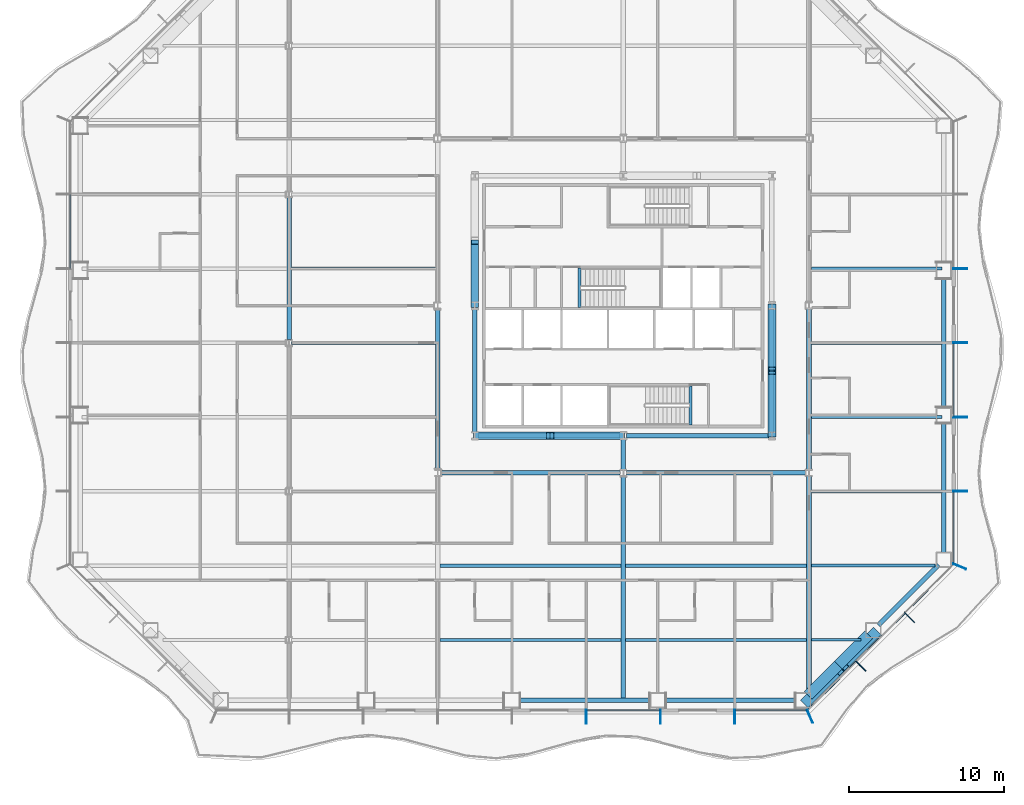
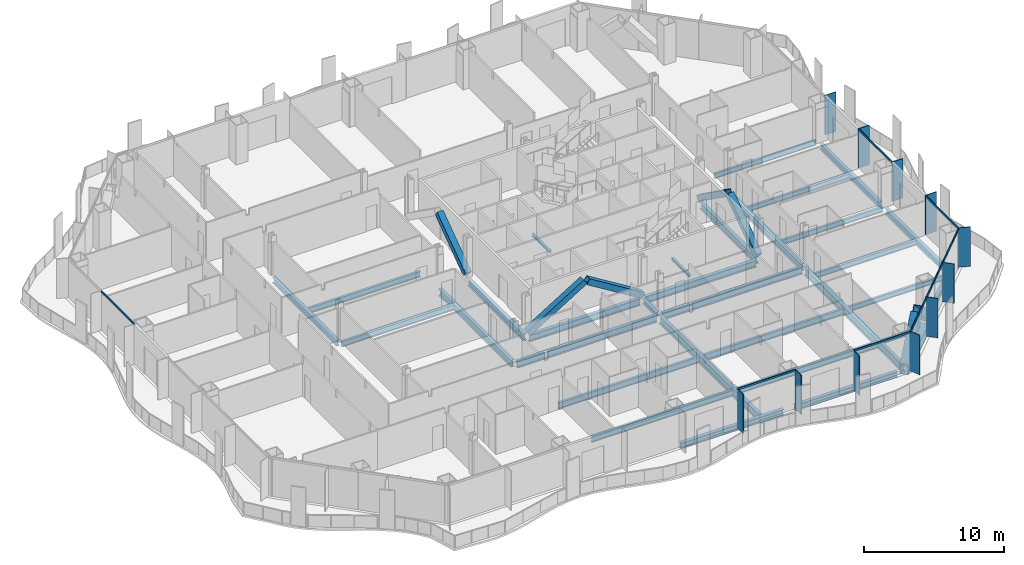
# One storey, part 2 of 21: 33 beams, 26 members, 4 elements without a shape of their own.
"""IFC4 building model written with IfcOpenShell, lengths in metres."""

from ifc_helpers import new_model, si_unit, direction, frame, origin, origin_2d, place, context, subcontext, project, spatial, rectangle, hollow_rectangle, i_section, extrude, material, material_profile, profile_set, type_object, element, aggregate, save


model = new_model("IFC4")

# Units and contexts
model_context = context("Model", 3, precision=1e-05, world=origin(), true_north=direction((0.0, 1.0)))
body_context = subcontext(model_context, "Body", "Model", "MODEL_VIEW")
ifc_project = project(units=[si_unit("LENGTHUNIT", "METRE"), si_unit("AREAUNIT", "SQUARE_METRE"), si_unit("VOLUMEUNIT", "CUBIC_METRE"), si_unit("PLANEANGLEUNIT", "RADIAN"), si_unit("MASSUNIT", "GRAM", prefix="KILO")], contexts=[model_context])

# Site, building, storey
site_placement = place(None, origin())
site = spatial("IfcSite", under=ifc_project, at=site_placement, CompositionType="ELEMENT")
building_placement = place(site_placement, origin())
building = spatial("IfcBuilding", under=site, at=building_placement, Name="Cairn Pilgrim Tower", CompositionType="ELEMENT")
storey_placement = place(building_placement, frame((0.0, 0.0, 47.39990234375)))
storey = spatial("IfcBuildingStorey", under=building, at=storey_placement, Name="L09", CompositionType="ELEMENT", Elevation=47.39990234375)

# Members
ifc_material_1 = material(Name="Structural steel S460M", Category="steel")
ifc_material_profile_1 = material_profile(ifc_material_1, hollow_rectangle(XDim=0.5, YDim=0.5, WallThickness=0.030029296875, at=origin_2d()), Name="BOX 500x500x30")
ifc_profile_set_1 = profile_set([ifc_material_profile_1], Name="Structural steel S460M")
member_type_1 = type_object("IfcMemberType", Name="BOX 500x500x30 BRACE", PredefinedType="BRACE", material=ifc_profile_set_1)
member_1_placement = place(storey_placement, frame((-2.3544921875, -6.0, 0.10009765625), z_axis=(0.850904896844, 0.0, 0.525319765978), x_axis=(0.0, 1.0, 0.0)))
element("IfcMember", 1, at=member_1_placement, inside=storey, type_object=member_type_1, Name="KB-1A", PredefinedType="BRACE", context=body_context, shape_type="SweptSolid", body=[
    extrude(hollow_rectangle(XDim=0.5, YDim=0.5, WallThickness=0.030029296875, at=origin_2d()), origin(), (0.0, 0.0, 1.0), 5.52490234375),
])
member_2_placement = place(storey_placement, frame((7.154541015625, -6.0, 0.10009765625), z_axis=(-0.850919818074, 0.0, 0.52529559603), x_axis=(0.0, -1.0, 0.0)))
element("IfcMember", 2, at=member_2_placement, inside=storey, type_object=member_type_1, Name="KB-1B", PredefinedType="BRACE", context=body_context, shape_type="SweptSolid", body=[
    extrude(hollow_rectangle(XDim=0.5, YDim=0.5, WallThickness=0.030029296875, at=origin_2d()), origin(), (0.0, 0.0, 1.0), 5.375),
])
member_3_placement = place(storey_placement, frame((16.800048828125, -5.95458984375, 0.10009765625), z_axis=(0.0, 0.814083383497, 0.580748004486), x_axis=(-1.0, 0.0, 0.0)))
element("IfcMember", 3, at=member_3_placement, inside=storey, type_object=member_type_1, Name="KB-2A", PredefinedType="BRACE", context=body_context, shape_type="SweptSolid", body=[
    extrude(hollow_rectangle(XDim=0.5, YDim=0.5, WallThickness=0.030029296875, at=origin_2d()), origin(), (0.0, 0.0, 1.0), 4.9951171875),
])
member_4_placement = place(storey_placement, frame((16.800048828125, 2.3544921875, 0.10009765625), z_axis=(0.0, -0.814066898095, 0.580771112769), x_axis=(1.0, 0.0, 0.0)))
element("IfcMember", 4, at=member_4_placement, inside=storey, type_object=member_type_1, Name="KB-2B", PredefinedType="BRACE", context=body_context, shape_type="SweptSolid", body=[
    extrude(hollow_rectangle(XDim=0.5, YDim=0.5, WallThickness=0.030029296875, at=origin_2d()), origin(), (0.0, 0.0, 1.0), 4.994873046875),
])
member_5_placement = place(storey_placement, frame((-2.39990234375, 2.4453125, 0.10009765625), z_axis=(0.0, 0.814083383497, 0.580748004486), x_axis=(-1.0, 0.0, 0.0)))
element("IfcMember", 5, at=member_5_placement, inside=storey, type_object=member_type_1, Name="KB-4B", PredefinedType="BRACE", context=body_context, shape_type="SweptSolid", body=[
    extrude(hollow_rectangle(XDim=0.5, YDim=0.5, WallThickness=0.030029296875, at=origin_2d()), origin(), (0.0, 0.0, 1.0), 4.9951171875),
])
ifc_material_profile_2 = material_profile(ifc_material_1, hollow_rectangle(XDim=0.699951171875, YDim=0.699951171875, WallThickness=0.0400390625, at=origin_2d()), Name="BOX 700x700x40")
ifc_profile_set_2 = profile_set([ifc_material_profile_2], Name="Structural steel S460M")
member_type_2 = type_object("IfcMemberType", Name="BOX 700x700x40 BRACE", PredefinedType="BRACE", material=ifc_profile_set_2)
member_6_placement = place(storey_placement, frame((19.0498046875, -23.181396484375, 0.150146484375), z_axis=(0.528118110354, 0.528118110354, 0.664968061663), x_axis=(-0.707106781187, 0.707106781187, 0.0)))
element("IfcMember", 6, at=member_6_placement, inside=storey, type_object=member_type_2, Name="XB-SE1-SE2-1", PredefinedType="BRACE", context=body_context, shape_type="SweptSolid", body=[
    extrude(hollow_rectangle(XDim=0.699951171875, YDim=0.699951171875, WallThickness=0.0400390625, at=origin_2d()), origin(), (0.0, 0.0, 1.0), 3.89990234375),
])
member_7_placement = place(storey_placement, frame((23.44482421875, -18.786376953125, 0.150146484375), z_axis=(-0.528090425698, -0.528090425698, 0.665012033404), x_axis=(0.707106781187, -0.707106781187, 0.0)))
element("IfcMember", 7, at=member_7_placement, inside=storey, type_object=member_type_2, Name="XB-SE1-SE2-2", PredefinedType="BRACE", context=body_context, shape_type="SweptSolid", body=[
    extrude(hollow_rectangle(XDim=0.699951171875, YDim=0.699951171875, WallThickness=0.0400390625, at=origin_2d()), origin(), (0.0, 0.0, 1.0), 3.899658203125),
])

# Beams
ifc_material_2 = material(Name="Structural steel S355J2", Category="steel")
ifc_material_profile_3 = material_profile(ifc_material_2, hollow_rectangle(XDim=0.699951171875, YDim=0.800048828125, WallThickness=0.0400390625, at=origin_2d()), Name="BOX 700x800x40")
ifc_profile_set_3 = profile_set([ifc_material_profile_3], Name="Structural steel S355J2")
beam_type_1 = type_object("IfcBeamType", Name="BOX 700x800x40 RING GIRDER", PredefinedType="SPANDREL", material=ifc_profile_set_3)
for number, where, z_axis, x_axis, name in (
    (8, (19.1455078125, -22.78173828125, -0.5498046875), (0.707106781187, 0.707106781187, 0.0), (-0.707106781187, 0.707106781187, 0.0), "RG1-SE1-SE2-1"),
    (9, (21.095458984375, -20.831787109375, -0.5498046875), (0.707106781187, 0.707106781187, 0.0), (-0.707106781187, 0.707106781187, 0.0), "RG1-SE1-SE2-2"),
):
    element("IfcBeam", number, at=place(storey_placement, frame(where, z_axis=z_axis, x_axis=x_axis)), inside=storey, type_object=beam_type_1, Name=name, PredefinedType="SPANDREL", context=body_context, shape_type="SweptSolid", body=[
        extrude(hollow_rectangle(XDim=0.699951171875, YDim=0.800048828125, WallThickness=0.0400390625, at=origin_2d()), origin(), (0.0, 0.0, 1.0), 2.757568359375),
    ])

# Curtain wall, members
ifc_material_3 = material(Name="Aluminium alloy 6063-T6 bronze anodised with Bronze tinted laminated low-E glass 8+16+8.8", Category="aluminium")
curtain_wall_type_1 = type_object("IfcCurtainWallType", Name="TOWER STICK CURTAIN WALL NS", PredefinedType="NOTDEFINED", material=ifc_material_3)
curtain_wall_1_placement = place(storey_placement, origin())
curtain_wall_1 = element("IfcCurtainWall", 10, at=curtain_wall_1_placement, inside=storey, type_object=curtain_wall_type_1, Name="Tower Stick Curtain Wall Ns S", PredefinedType="NOTDEFINED")
ifc_material_4 = material(Name="Aluminium alloy 6063-T6 bronze anodised", Category="aluminium")
ifc_material_profile_4 = material_profile(ifc_material_4, rectangle(XDim=0.89990234375, YDim=0.06005859375, at=origin_2d()), Name="FIN MULLION 60x900 BRONZE")
ifc_profile_set_4 = profile_set([ifc_material_profile_4], Name="Aluminium alloy 6063-T6 bronze anodised")
member_type_3 = type_object("IfcMemberType", Name="FIN MULLION 60x900 BRONZE", PredefinedType="MULLION", material=ifc_profile_set_4)
member_8_placement = place(storey_placement, frame((4.800048828125, -24.169921875, 0.0), z_axis=(0.0, 0.0, 1.0), x_axis=(0.0, -1.0, 0.0)))
member_8 = element("IfcMember", 11, at=member_8_placement, type_object=member_type_3, Name="Fin mullion S6", PredefinedType="MULLION", context=body_context, shape_type="SweptSolid", body=[
    extrude(rectangle(XDim=0.89990234375, YDim=0.06005859375, at=origin_2d()), origin(), (0.0, 0.0, 1.0), 3.4501953125),
])
member_9_placement = place(storey_placement, frame((9.60009765625, -24.169921875, 0.0), z_axis=(0.0, 0.0, 1.0), x_axis=(0.0, -1.0, 0.0)))
member_9 = element("IfcMember", 12, at=member_9_placement, type_object=member_type_3, Name="Fin mullion S7", PredefinedType="MULLION", context=body_context, shape_type="SweptSolid", body=[
    extrude(rectangle(XDim=0.89990234375, YDim=0.06005859375, at=origin_2d()), origin(), (0.0, 0.0, 1.0), 3.4501953125),
])
member_10_placement = place(storey_placement, frame((14.39990234375, -24.169921875, 0.0), z_axis=(0.0, 0.0, 1.0), x_axis=(0.0, -1.0, 0.0)))
member_10 = element("IfcMember", 13, at=member_10_placement, type_object=member_type_3, Name="Fin mullion S8", PredefinedType="MULLION", context=body_context, shape_type="SweptSolid", body=[
    extrude(rectangle(XDim=0.89990234375, YDim=0.06005859375, at=origin_2d()), origin(), (0.0, 0.0, 1.0), 3.4501953125),
])

curtain_wall_type_2 = type_object("IfcCurtainWallType", Name="CHAMFER CORNER CURTAIN WALL", PredefinedType="NOTDEFINED", material=ifc_material_3)
curtain_wall_2_placement = place(storey_placement, origin())
curtain_wall_2 = element("IfcCurtainWall", 14, at=curtain_wall_2_placement, inside=storey, type_object=curtain_wall_type_2, Name="Chamfer Corner Curtain Wall SE", PredefinedType="NOTDEFINED")
member_11_placement = place(storey_placement, frame((19.257080078125, -24.137939453125, 0.0), z_axis=(0.0, 0.0, 1.0), x_axis=(0.382683432365, -0.923879532511, 0.0)))
member_11 = element("IfcMember", 15, at=member_11_placement, type_object=member_type_3, Name="Fin mullion SE1", PredefinedType="MULLION", context=body_context, shape_type="SweptSolid", body=[
    extrude(rectangle(XDim=0.89990234375, YDim=0.06005859375, at=origin_2d()), origin(), (0.0, 0.0, 1.0), 3.4501953125),
])
member_12_placement = place(storey_placement, frame((22.544677734375, -20.895751953125, 0.0), z_axis=(0.0, 0.0, 1.0), x_axis=(0.707106781187, -0.707106781187, 0.0)))
member_12 = element("IfcMember", 16, at=member_12_placement, type_object=member_type_3, Name="Fin mullion SE2", PredefinedType="MULLION", context=body_context, shape_type="SweptSolid", body=[
    extrude(rectangle(XDim=0.89990234375, YDim=0.06005859375, at=origin_2d()), origin(), (0.0, 0.0, 1.0), 3.4501953125),
])
member_13_placement = place(storey_placement, frame((25.69580078125, -17.74462890625, 0.0), z_axis=(0.0, 0.0, 1.0), x_axis=(0.707106781187, -0.707106781187, 0.0)))
member_13 = element("IfcMember", 17, at=member_13_placement, type_object=member_type_3, Name="Fin mullion SE3", PredefinedType="MULLION", context=body_context, shape_type="SweptSolid", body=[
    extrude(rectangle(XDim=0.89990234375, YDim=0.06005859375, at=origin_2d()), origin(), (0.0, 0.0, 1.0), 3.4501953125),
])

curtain_wall_type_3 = type_object("IfcCurtainWallType", Name="TOWER STICK CURTAIN WALL EW", PredefinedType="NOTDEFINED", material=ifc_material_3)
curtain_wall_3_placement = place(storey_placement, origin())
curtain_wall_3 = element("IfcCurtainWall", 18, at=curtain_wall_3_placement, inside=storey, type_object=curtain_wall_type_3, Name="Tower Stick Curtain Wall Ew E", PredefinedType="NOTDEFINED")
member_14_placement = place(storey_placement, frame((28.93798828125, -14.457275390625, 0.0), z_axis=(0.0, 0.0, 1.0), x_axis=(0.923879532511, -0.382683432365, 0.0)))
member_14 = element("IfcMember", 19, at=member_14_placement, type_object=member_type_3, Name="Fin mullion E1", PredefinedType="MULLION", context=body_context, shape_type="SweptSolid", body=[
    extrude(rectangle(XDim=0.89990234375, YDim=0.06005859375, at=origin_2d()), origin(), (0.0, 0.0, 1.0), 3.4501953125),
])
member_15_placement = place(storey_placement, frame((28.969970703125, -9.60009765625, 0.0), z_axis=(0.0, 0.0, 1.0), x_axis=(1.0, 0.0, 0.0)))
member_15 = element("IfcMember", 20, at=member_15_placement, type_object=member_type_3, Name="Fin mullion E2", PredefinedType="MULLION", context=body_context, shape_type="SweptSolid", body=[
    extrude(rectangle(XDim=0.89990234375, YDim=0.06005859375, at=origin_2d()), origin(), (0.0, 0.0, 1.0), 3.4501953125),
])
member_16_placement = place(storey_placement, frame((28.969970703125, -4.800048828125, 0.0), z_axis=(0.0, 0.0, 1.0), x_axis=(1.0, 0.0, 0.0)))
member_16 = element("IfcMember", 21, at=member_16_placement, type_object=member_type_3, Name="Fin mullion E3", PredefinedType="MULLION", context=body_context, shape_type="SweptSolid", body=[
    extrude(rectangle(XDim=0.89990234375, YDim=0.06005859375, at=origin_2d()), origin(), (0.0, 0.0, 1.0), 3.4501953125),
])
member_17_placement = place(storey_placement, frame((28.969970703125, 0.0, 0.0), z_axis=(0.0, 0.0, 1.0), x_axis=(1.0, 0.0, 0.0)))
member_17 = element("IfcMember", 22, at=member_17_placement, type_object=member_type_3, Name="Fin mullion E4", PredefinedType="MULLION", context=body_context, shape_type="SweptSolid", body=[
    extrude(rectangle(XDim=0.89990234375, YDim=0.06005859375, at=origin_2d()), origin(), (0.0, 0.0, 1.0), 3.4501953125),
])
member_18_placement = place(storey_placement, frame((28.969970703125, 4.800048828125, 0.0), z_axis=(0.0, 0.0, 1.0), x_axis=(1.0, 0.0, 0.0)))
member_18 = element("IfcMember", 23, at=member_18_placement, type_object=member_type_3, Name="Fin mullion E5", PredefinedType="MULLION", context=body_context, shape_type="SweptSolid", body=[
    extrude(rectangle(XDim=0.89990234375, YDim=0.06005859375, at=origin_2d()), origin(), (0.0, 0.0, 1.0), 3.4501953125),
])

# Beams
ifc_material_profile_5 = material_profile(ifc_material_2, i_section(OverallWidth=0.300048828125, OverallDepth=0.39990234375, WebThickness=0.013427734375, FlangeThickness=0.02392578125, FilletRadius=0.027099609375, at=origin_2d()), Name="HEB 400")
ifc_profile_set_5 = profile_set([ifc_material_profile_5], Name="Structural steel S355J2")
beam_type_2 = type_object("IfcBeamType", Name="HEB 400 GIRDER", PredefinedType="BEAM", material=ifc_profile_set_5)
beam_1_placement = place(storey_placement, frame((7.199951171875, -8.18798828125, -0.349853515625), z_axis=(0.0, 1.0, 0.0), x_axis=(-1.0, 0.0, 0.0)))
element("IfcBeam", 24, at=beam_1_placement, inside=storey, type_object=beam_type_2, Name="PG3-E1", PredefinedType="BEAM", context=body_context, shape_type="SweptSolid", body=[
    extrude(i_section(OverallWidth=0.300048828125, OverallDepth=0.39990234375, WebThickness=0.013427734375, FlangeThickness=0.02392578125, FilletRadius=0.027099609375, at=origin_2d()), origin(), (0.0, 0.0, 1.0), 1.9609375),
])
ifc_material_profile_6 = material_profile(ifc_material_2, i_section(OverallWidth=0.300048828125, OverallDepth=0.5, WebThickness=0.014404296875, FlangeThickness=0.028076171875, FilletRadius=0.027099609375, at=origin_2d()), Name="HEB 500")
ifc_profile_set_6 = profile_set([ifc_material_profile_6], Name="Structural steel S355J2")
beam_type_3 = type_object("IfcBeamType", Name="HEB 500 GIRDER", PredefinedType="BEAM", material=ifc_profile_set_6)
beam_2_placement = place(storey_placement, frame((-14.39990234375, 0.20458984375, -0.39990234375), z_axis=(0.0, 1.0, 0.0), x_axis=(-1.0, 0.0, 0.0)))
element("IfcBeam", 25, at=beam_2_placement, inside=storey, type_object=beam_type_3, Name="PG1-4", PredefinedType="BEAM", context=body_context, shape_type="SweptSolid", body=[
    extrude(i_section(OverallWidth=0.300048828125, OverallDepth=0.5, WebThickness=0.014404296875, FlangeThickness=0.028076171875, FilletRadius=0.027099609375, at=origin_2d()), origin(), (0.0, 0.0, 1.0), 9.19091796875),
])
ifc_material_profile_7 = material_profile(ifc_material_2, i_section(OverallWidth=0.300048828125, OverallDepth=0.5, WebThickness=0.014404296875, FlangeThickness=0.028076171875, FilletRadius=0.027099609375, at=origin_2d()), Name="HEB 500")
ifc_profile_set_7 = profile_set([ifc_material_profile_7], Name="Structural steel S355J2")
beam_type_4 = type_object("IfcBeamType", Name="HEB 500 RING GIRDER", PredefinedType="SPANDREL", material=ifc_profile_set_7)
for number, where, z_axis, x_axis, name in (
    (26, (0.449951171875, -23.10009765625, -0.39990234375), (1.0, 0.0, 0.0), (0.0, 1.0, 0.0), "RG1-S3-S4"),
    (27, (9.863525390625, -23.10009765625, -0.39990234375), (1.0, 0.0, 0.0), (0.0, 1.0, 0.0), "RG1-S4-SE1"),
):
    element("IfcBeam", number, at=place(storey_placement, frame(where, z_axis=z_axis, x_axis=x_axis)), inside=storey, type_object=beam_type_4, Name=name, PredefinedType="SPANDREL", context=body_context, shape_type="SweptSolid", body=[
        extrude(i_section(OverallWidth=0.300048828125, OverallDepth=0.5, WebThickness=0.014404296875, FlangeThickness=0.028076171875, FilletRadius=0.027099609375, at=origin_2d()), origin(), (0.0, 0.0, 1.0), 8.513671875),
    ])
beam_3_placement = place(storey_placement, frame((23.681884765625, -18.245361328125, -0.39990234375), z_axis=(0.707106781187, 0.707106781187, 0.0), x_axis=(-0.707106781187, 0.707106781187, 0.0)))
element("IfcBeam", 28, at=beam_3_placement, inside=storey, type_object=beam_type_4, Name="RG1-SE2-E1", PredefinedType="SPANDREL", context=body_context, shape_type="SweptSolid", body=[
    extrude(i_section(OverallWidth=0.300048828125, OverallDepth=0.5, WebThickness=0.014404296875, FlangeThickness=0.028076171875, FilletRadius=0.027099609375, at=origin_2d()), origin(), (0.0, 0.0, 1.0), 5.515380859375),
])
beam_4_placement = place(storey_placement, frame((27.89990234375, -13.5771484375, -0.39990234375), z_axis=(0.0, 1.0, 0.0), x_axis=(-1.0, 0.0, 0.0)))
element("IfcBeam", 29, at=beam_4_placement, inside=storey, type_object=beam_type_4, Name="RG1-E1-E2", PredefinedType="SPANDREL", context=body_context, shape_type="SweptSolid", body=[
    extrude(i_section(OverallWidth=0.300048828125, OverallDepth=0.5, WebThickness=0.014404296875, FlangeThickness=0.028076171875, FilletRadius=0.027099609375, at=origin_2d()), origin(), (0.0, 0.0, 1.0), 8.451416015625),
])
beam_5_placement = place(storey_placement, frame((27.89990234375, -4.2255859375, -0.39990234375), z_axis=(0.0, 1.0, 0.0), x_axis=(-1.0, 0.0, 0.0)))
element("IfcBeam", 30, at=beam_5_placement, inside=storey, type_object=beam_type_4, Name="RG1-E2-E3", PredefinedType="SPANDREL", context=body_context, shape_type="SweptSolid", body=[
    extrude(i_section(OverallWidth=0.300048828125, OverallDepth=0.5, WebThickness=0.014404296875, FlangeThickness=0.028076171875, FilletRadius=0.027099609375, at=origin_2d()), origin(), (0.0, 0.0, 1.0), 8.451171875),
])
ifc_material_profile_8 = material_profile(ifc_material_2, i_section(OverallWidth=0.300048828125, OverallDepth=0.60009765625, WebThickness=0.015380859375, FlangeThickness=0.030029296875, FilletRadius=0.027099609375, at=origin_2d()), Name="HEB 600")
ifc_profile_set_8 = profile_set([ifc_material_profile_8], Name="Structural steel S355J2")
beam_type_5 = type_object("IfcBeamType", Name="HEB 600 CORE BEAM", PredefinedType="BEAM", material=ifc_profile_set_8)
for number, where, z_axis, x_axis, name in (
    (31, (-2.19580078125, -6.0, -0.449951171875), (1.0, 0.0, 0.0), (0.0, 1.0, 0.0), "CB-1"),
    (32, (7.404296875, -6.0, -0.449951171875), (1.0, 0.0, 0.0), (0.0, 1.0, 0.0), "CB-2"),
):
    element("IfcBeam", number, at=place(storey_placement, frame(where, z_axis=z_axis, x_axis=x_axis)), inside=storey, type_object=beam_type_5, Name=name, PredefinedType="BEAM", context=body_context, shape_type="SweptSolid", body=[
        extrude(i_section(OverallWidth=0.300048828125, OverallDepth=0.60009765625, WebThickness=0.015380859375, FlangeThickness=0.030029296875, FilletRadius=0.027099609375, at=origin_2d()), origin(), (0.0, 0.0, 1.0), 9.19140625),
    ])
for number, where, z_axis, x_axis, name in (
    (33, (16.800048828125, -5.795654296875, -0.449951171875), (0.0, 1.0, 0.0), (-1.0, 0.0, 0.0), "CB-3"),
    (34, (-2.39990234375, 2.19580078125, -0.449951171875), (0.0, -1.0, 0.0), (1.0, 0.0, 0.0), "CB-8"),
):
    element("IfcBeam", number, at=place(storey_placement, frame(where, z_axis=z_axis, x_axis=x_axis)), inside=storey, type_object=beam_type_5, Name=name, PredefinedType="BEAM", context=body_context, shape_type="SweptSolid", body=[
        extrude(i_section(OverallWidth=0.300048828125, OverallDepth=0.60009765625, WebThickness=0.015380859375, FlangeThickness=0.030029296875, FilletRadius=0.027099609375, at=origin_2d()), origin(), (0.0, 0.0, 1.0), 7.991455078125),
    ])
ifc_material_profile_9 = material_profile(ifc_material_2, i_section(OverallWidth=0.300048828125, OverallDepth=0.60009765625, WebThickness=0.015380859375, FlangeThickness=0.030029296875, FilletRadius=0.027099609375, at=origin_2d()), Name="HEB 600")
ifc_profile_set_9 = profile_set([ifc_material_profile_9], Name="Structural steel S355J2")
beam_type_6 = type_object("IfcBeamType", Name="HEB 600 GIRDER", PredefinedType="BEAM", material=ifc_profile_set_9)
for number, where, z_axis, x_axis, name in (
    (35, (-4.800048828125, -8.18798828125, -0.449951171875), (0.0, 1.0, 0.0), (-1.0, 0.0, 0.0), "PG2-2"),
    (36, (19.199951171875, -8.18798828125, -0.449951171875), (0.0, 1.0, 0.0), (-1.0, 0.0, 0.0), "PG4-2"),
):
    element("IfcBeam", number, at=place(storey_placement, frame(where, z_axis=z_axis, x_axis=x_axis)), inside=storey, type_object=beam_type_6, Name=name, PredefinedType="BEAM", context=body_context, shape_type="SweptSolid", body=[
        extrude(i_section(OverallWidth=0.300048828125, OverallDepth=0.60009765625, WebThickness=0.015380859375, FlangeThickness=0.030029296875, FilletRadius=0.027099609375, at=origin_2d()), origin(), (0.0, 0.0, 1.0), 10.3759765625),
    ])
ifc_material_profile_10 = material_profile(ifc_material_2, i_section(OverallWidth=0.300048828125, OverallDepth=0.60009765625, WebThickness=0.015380859375, FlangeThickness=0.030029296875, FilletRadius=0.027099609375, at=origin_2d()), Name="HEB 600")
ifc_profile_set_10 = profile_set([ifc_material_profile_10], Name="Structural steel S355J2")
beam_type_7 = type_object("IfcBeamType", Name="HEB 600 INNER GIRDER", PredefinedType="BEAM", material=ifc_profile_set_10)
for number, where, z_axis, x_axis, name in (
    (37, (-4.587890625, -8.39990234375, -0.449951171875), (1.0, 0.0, 0.0), (0.0, 1.0, 0.0), "IG1-1"),
    (38, (7.412109375, -8.39990234375, -0.449951171875), (1.0, 0.0, 0.0), (0.0, 1.0, 0.0), "IG1-2"),
):
    element("IfcBeam", number, at=place(storey_placement, frame(where, z_axis=z_axis, x_axis=x_axis)), inside=storey, type_object=beam_type_7, Name=name, PredefinedType="BEAM", context=body_context, shape_type="SweptSolid", body=[
        extrude(i_section(OverallWidth=0.300048828125, OverallDepth=0.60009765625, WebThickness=0.015380859375, FlangeThickness=0.030029296875, FilletRadius=0.027099609375, at=origin_2d()), origin(), (0.0, 0.0, 1.0), 11.575927734375),
    ])
ifc_material_profile_11 = material_profile(ifc_material_2, i_section(OverallWidth=0.300048828125, OverallDepth=0.699951171875, WebThickness=0.01708984375, FlangeThickness=0.031982421875, FilletRadius=0.027099609375, at=origin_2d()), Name="HEB 700")
ifc_profile_set_11 = profile_set([ifc_material_profile_11], Name="Structural steel S355J2")
beam_type_8 = type_object("IfcBeamType", Name="HEB 700 GIRDER", PredefinedType="BEAM", material=ifc_profile_set_11)
beam_6_placement = place(storey_placement, frame((7.199951171875, -22.97998046875, -0.5), z_axis=(0.0, 1.0, 0.0), x_axis=(-1.0, 0.0, 0.0)))
element("IfcBeam", 39, at=beam_6_placement, inside=storey, type_object=beam_type_8, Name="PG3-1", PredefinedType="BEAM", context=body_context, shape_type="SweptSolid", body=[
    extrude(i_section(OverallWidth=0.300048828125, OverallDepth=0.699951171875, WebThickness=0.01708984375, FlangeThickness=0.031982421875, FilletRadius=0.027099609375, at=origin_2d()), origin(), (0.0, 0.0, 1.0), 14.367919921875),
])
beam_7_placement = place(storey_placement, frame((19.199951171875, -22.545166015625, -0.5), z_axis=(0.0, 1.0, 0.0), x_axis=(-1.0, 0.0, 0.0)))
element("IfcBeam", 40, at=beam_7_placement, inside=storey, type_object=beam_type_8, Name="PG4-1", PredefinedType="BEAM", context=body_context, shape_type="SweptSolid", body=[
    extrude(i_section(OverallWidth=0.300048828125, OverallDepth=0.699951171875, WebThickness=0.01708984375, FlangeThickness=0.031982421875, FilletRadius=0.027099609375, at=origin_2d()), origin(), (0.0, 0.0, 1.0), 13.93310546875),
])
ifc_material_profile_12 = material_profile(ifc_material_2, i_section(OverallWidth=0.169921875, OverallDepth=0.360107421875, WebThickness=0.008056640625, FlangeThickness=0.0126953125, FilletRadius=0.01806640625, at=origin_2d()), Name="IPE 360")
ifc_profile_set_12 = profile_set([ifc_material_profile_12], Name="Structural steel S355J2")
beam_type_9 = type_object("IfcBeamType", Name="IPE 360 SECONDARY BEAM", PredefinedType="JOIST", material=ifc_profile_set_12)
beam_8_placement = place(storey_placement, frame((19.35009765625, -19.199951171875, -0.329833984375), z_axis=(1.0, 0.0, 0.0), x_axis=(0.0, 1.0, 0.0)))
element("IfcBeam", 41, at=beam_8_placement, inside=storey, type_object=beam_type_9, Name="SB1-5", PredefinedType="JOIST", context=body_context, shape_type="SweptSolid", body=[
    extrude(i_section(OverallWidth=0.169921875, OverallDepth=0.360107421875, WebThickness=0.008056640625, FlangeThickness=0.0126953125, FilletRadius=0.01806640625, at=origin_2d()), origin(), (0.0, 0.0, 1.0), 3.195068359375),
])
ifc_material_profile_13 = material_profile(ifc_material_2, i_section(OverallWidth=0.18994140625, OverallDepth=0.449951171875, WebThickness=0.009521484375, FlangeThickness=0.0146484375, FilletRadius=0.02099609375, at=origin_2d()), Name="IPE 450")
ifc_profile_set_13 = profile_set([ifc_material_profile_13], Name="Structural steel S355J2")
beam_type_10 = type_object("IfcBeamType", Name="IPE 450 SECONDARY BEAM", PredefinedType="JOIST", material=ifc_profile_set_13)
beam_9_placement = place(storey_placement, frame((19.35009765625, -14.39990234375, -0.375), z_axis=(1.0, 0.0, 0.0), x_axis=(0.0, 1.0, 0.0)))
element("IfcBeam", 42, at=beam_9_placement, inside=storey, type_object=beam_type_10, Name="SB2-5", PredefinedType="JOIST", context=body_context, shape_type="SweptSolid", body=[
    extrude(i_section(OverallWidth=0.18994140625, OverallDepth=0.449951171875, WebThickness=0.009521484375, FlangeThickness=0.0146484375, FilletRadius=0.02099609375, at=origin_2d()), origin(), (0.0, 0.0, 1.0), 7.9951171875),
])
for number, where, z_axis, x_axis, name in (
    (43, (19.35009765625, -9.60009765625, -0.375), (1.0, 0.0, 0.0), (0.0, 1.0, 0.0), "SB3-3"),
    (44, (19.35009765625, -4.800048828125, -0.375), (1.0, 0.0, 0.0), (0.0, 1.0, 0.0), "SB4-3"),
    (45, (19.35009765625, 0.0, -0.375), (1.0, 0.0, 0.0), (0.0, 1.0, 0.0), "SB5-3"),
    (46, (19.35009765625, 4.800048828125, -0.375), (1.0, 0.0, 0.0), (0.0, 1.0, 0.0), "SB6-3"),
):
    element("IfcBeam", number, at=place(storey_placement, frame(where, z_axis=z_axis, x_axis=x_axis)), inside=storey, type_object=beam_type_10, Name=name, PredefinedType="JOIST", context=body_context, shape_type="SweptSolid", body=[
        extrude(i_section(OverallWidth=0.18994140625, OverallDepth=0.449951171875, WebThickness=0.009521484375, FlangeThickness=0.0146484375, FilletRadius=0.02099609375, at=origin_2d()), origin(), (0.0, 0.0, 1.0), 8.429931640625),
    ])
ifc_material_profile_14 = material_profile(ifc_material_2, i_section(OverallWidth=0.199951171875, OverallDepth=0.5, WebThickness=0.01025390625, FlangeThickness=0.01611328125, FilletRadius=0.02099609375, at=origin_2d()), Name="IPE 500")
ifc_profile_set_14 = profile_set([ifc_material_profile_14], Name="Structural steel S355J2")
beam_type_11 = type_object("IfcBeamType", Name="IPE 500 SECONDARY BEAM", PredefinedType="JOIST", material=ifc_profile_set_14)
for number, where, z_axis, x_axis, name in (
    (47, (-14.25, 0.0, -0.39990234375), (1.0, 0.0, 0.0), (0.0, 1.0, 0.0), "SB5-2"),
    (48, (-14.25, 4.800048828125, -0.39990234375), (1.0, 0.0, 0.0), (0.0, 1.0, 0.0), "SB6-2"),
):
    element("IfcBeam", number, at=place(storey_placement, frame(where, z_axis=z_axis, x_axis=x_axis)), inside=storey, type_object=beam_type_11, Name=name, PredefinedType="JOIST", context=body_context, shape_type="SweptSolid", body=[
        extrude(i_section(OverallWidth=0.199951171875, OverallDepth=0.5, WebThickness=0.01025390625, FlangeThickness=0.01611328125, FilletRadius=0.02099609375, at=origin_2d()), origin(), (0.0, 0.0, 1.0), 9.300048828125),
    ])
ifc_material_profile_15 = material_profile(ifc_material_2, i_section(OverallWidth=0.2099609375, OverallDepth=0.550048828125, WebThickness=0.010986328125, FlangeThickness=0.01708984375, FilletRadius=0.02392578125, at=origin_2d()), Name="IPE 550")
ifc_profile_set_15 = profile_set([ifc_material_profile_15], Name="Structural steel S355J2")
beam_type_12 = type_object("IfcBeamType", Name="IPE 550 SECONDARY BEAM", PredefinedType="JOIST", material=ifc_profile_set_15)
for number, where, z_axis, x_axis, name in (
    (49, (-4.64990234375, -19.199951171875, -0.4248046875), (1.0, 0.0, 0.0), (0.0, 1.0, 0.0), "SB1-3"),
    (50, (7.35009765625, -19.199951171875, -0.4248046875), (1.0, 0.0, 0.0), (0.0, 1.0, 0.0), "SB1-4"),
    (51, (-4.64990234375, -14.39990234375, -0.4248046875), (1.0, 0.0, 0.0), (0.0, 1.0, 0.0), "SB2-3"),
    (52, (7.35009765625, -14.39990234375, -0.4248046875), (1.0, 0.0, 0.0), (0.0, 1.0, 0.0), "SB2-4"),
):
    element("IfcBeam", number, at=place(storey_placement, frame(where, z_axis=z_axis, x_axis=x_axis)), inside=storey, type_object=beam_type_12, Name=name, PredefinedType="JOIST", context=body_context, shape_type="SweptSolid", body=[
        extrude(i_section(OverallWidth=0.2099609375, OverallDepth=0.550048828125, WebThickness=0.010986328125, FlangeThickness=0.01708984375, FilletRadius=0.02392578125, at=origin_2d()), origin(), (0.0, 0.0, 1.0), 11.699951171875),
    ])
ifc_material_profile_16 = material_profile(ifc_material_2, i_section(OverallWidth=0.199951171875, OverallDepth=0.199951171875, WebThickness=0.009033203125, FlangeThickness=0.014892578125, FilletRadius=0.01806640625, at=origin_2d()), Name="HE 200 B")
ifc_profile_set_16 = profile_set([ifc_material_profile_16], Name="Structural steel S355J2")
beam_type_13 = type_object("IfcBeamType", Name="STAIR LANDING BEAM HE 200 B", PredefinedType="BEAM", material=ifc_profile_set_16)
beam_10_placement = place(storey_placement, frame((11.5244140625, -2.77490234375, -0.25), z_axis=(0.0, -1.0, 0.0), x_axis=(1.0, 0.0, 0.0)))
element("IfcBeam", 53, at=beam_10_placement, inside=storey, type_object=beam_type_13, Name="STAIR LANDING BEAM LD-HE200B", PredefinedType="BEAM", context=body_context, shape_type="SweptSolid", body=[
    extrude(i_section(OverallWidth=0.199951171875, OverallDepth=0.199951171875, WebThickness=0.009033203125, FlangeThickness=0.014892578125, FilletRadius=0.01806640625, at=origin_2d()), origin(), (0.0, 0.0, 1.0), 2.525146484375),
])
beam_11_placement = place(storey_placement, frame((4.37548828125, 2.27490234375, -0.25), z_axis=(0.0, 1.0, 0.0), x_axis=(-1.0, 0.0, 0.0)))
element("IfcBeam", 54, at=beam_11_placement, inside=storey, type_object=beam_type_13, Name="STAIR LANDING BEAM LD-HE200B", PredefinedType="BEAM", context=body_context, shape_type="SweptSolid", body=[
    extrude(i_section(OverallWidth=0.199951171875, OverallDepth=0.199951171875, WebThickness=0.009033203125, FlangeThickness=0.014892578125, FilletRadius=0.01806640625, at=origin_2d()), origin(), (0.0, 0.0, 1.0), 2.550048828125),
])

# Member
ifc_material_profile_17 = material_profile(ifc_material_4, rectangle(XDim=0.080078125, YDim=0.14990234375, at=origin_2d()), Name="TRANSOM 80x150 BRONZE")
ifc_profile_set_17 = profile_set([ifc_material_profile_17], Name="Aluminium alloy 6063-T6 bronze anodised")
member_type_4 = type_object("IfcMemberType", Name="TRANSOM 80x150 BRONZE", PredefinedType="USERDEFINED", material=ifc_profile_set_17)
member_19_placement = place(storey_placement, frame((4.830078125, -23.75, 3.375), z_axis=(1.0, 0.0, 0.0), x_axis=(0.0, 1.0, 0.0)))
member_19 = element("IfcMember", 55, at=member_19_placement, type_object=member_type_4, Name="Transom S6", ObjectType="TRANSOM", PredefinedType="USERDEFINED", context=body_context, shape_type="SweptSolid", body=[
    extrude(rectangle(XDim=0.080078125, YDim=0.14990234375, at=origin_2d()), origin(), (0.0, 0.0, 1.0), 4.739990234375),
])

member_20_placement = place(storey_placement, frame((14.429931640625, -23.75, 3.375), z_axis=(1.0, 0.0, 0.0), x_axis=(0.0, 1.0, 0.0)))
member_20 = element("IfcMember", 56, at=member_20_placement, type_object=member_type_4, Name="Transom S8", ObjectType="TRANSOM", PredefinedType="USERDEFINED", context=body_context, shape_type="SweptSolid", body=[
    extrude(rectangle(XDim=0.080078125, YDim=0.14990234375, at=origin_2d()), origin(), (0.0, 0.0, 1.0), 4.62646484375),
])

aggregate(curtain_wall_1, [member_8, member_9, member_10, member_19, member_20])

member_21_placement = place(storey_placement, frame((19.124755859375, -23.7216796875, 3.375), z_axis=(0.707106781187, 0.707106781187, 0.0), x_axis=(-0.707106781187, 0.707106781187, 0.0)))
member_21 = element("IfcMember", 57, at=member_21_placement, type_object=member_type_4, Name="Transom SE1", ObjectType="TRANSOM", PredefinedType="USERDEFINED", context=body_context, shape_type="SweptSolid", body=[
    extrude(rectangle(XDim=0.080078125, YDim=0.14990234375, at=origin_2d()), origin(), (0.0, 0.0, 1.0), 4.38623046875),
])

member_22_placement = place(storey_placement, frame((22.268798828125, -20.57763671875, 3.375), z_axis=(0.707106781187, 0.707106781187, 0.0), x_axis=(-0.707106781187, 0.707106781187, 0.0)))
member_22 = element("IfcMember", 58, at=member_22_placement, type_object=member_type_4, Name="Transom SE2", ObjectType="TRANSOM", PredefinedType="USERDEFINED", context=body_context, shape_type="SweptSolid", body=[
    extrude(rectangle(XDim=0.080078125, YDim=0.14990234375, at=origin_2d()), origin(), (0.0, 0.0, 1.0), 4.396728515625),
])

member_23_placement = place(storey_placement, frame((25.419921875, -17.426513671875, 3.375), z_axis=(0.707106781187, 0.707106781187, 0.0), x_axis=(-0.707106781187, 0.707106781187, 0.0)))
member_23 = element("IfcMember", 59, at=member_23_placement, type_object=member_type_4, Name="Transom SE3", ObjectType="TRANSOM", PredefinedType="USERDEFINED", context=body_context, shape_type="SweptSolid", body=[
    extrude(rectangle(XDim=0.080078125, YDim=0.14990234375, at=origin_2d()), origin(), (0.0, 0.0, 1.0), 4.38671875),
])

aggregate(curtain_wall_2, [member_11, member_12, member_13, member_21, member_22, member_23])

member_24_placement = place(storey_placement, frame((28.550048828125, -14.25634765625, 3.375), z_axis=(0.0, 1.0, 0.0), x_axis=(-1.0, 0.0, 0.0)))
member_24 = element("IfcMember", 60, at=member_24_placement, type_object=member_type_4, Name="Transom E1", ObjectType="TRANSOM", PredefinedType="USERDEFINED", context=body_context, shape_type="SweptSolid", body=[
    extrude(rectangle(XDim=0.080078125, YDim=0.14990234375, at=origin_2d()), origin(), (0.0, 0.0, 1.0), 4.62646484375),
])

member_25_placement = place(storey_placement, frame((28.550048828125, -4.77001953125, 3.375), z_axis=(0.0, 1.0, 0.0), x_axis=(-1.0, 0.0, 0.0)))
member_25 = element("IfcMember", 61, at=member_25_placement, type_object=member_type_4, Name="Transom E3", ObjectType="TRANSOM", PredefinedType="USERDEFINED", context=body_context, shape_type="SweptSolid", body=[
    extrude(rectangle(XDim=0.080078125, YDim=0.14990234375, at=origin_2d()), origin(), (0.0, 0.0, 1.0), 4.739990234375),
])

aggregate(curtain_wall_3, [member_14, member_15, member_16, member_17, member_18, member_24, member_25])

# Curtain wall, member
curtain_wall_4_placement = place(storey_placement, origin())
curtain_wall_4 = element("IfcCurtainWall", 62, at=curtain_wall_4_placement, inside=storey, type_object=curtain_wall_type_3, Name="Tower Stick Curtain Wall Ew W", PredefinedType="NOTDEFINED")
member_26_placement = place(storey_placement, frame((-28.550048828125, 9.570068359375, 3.375), z_axis=(0.0, -1.0, 0.0), x_axis=(1.0, 0.0, 0.0)))
member_26 = element("IfcMember", 63, at=member_26_placement, type_object=member_type_4, Name="Transom W2", ObjectType="TRANSOM", PredefinedType="USERDEFINED", context=body_context, shape_type="SweptSolid", body=[
    extrude(rectangle(XDim=0.080078125, YDim=0.14990234375, at=origin_2d()), origin(), (0.0, 0.0, 1.0), 4.739990234375),
])
aggregate(curtain_wall_4, [member_26])

save(model, "model.ifc")
